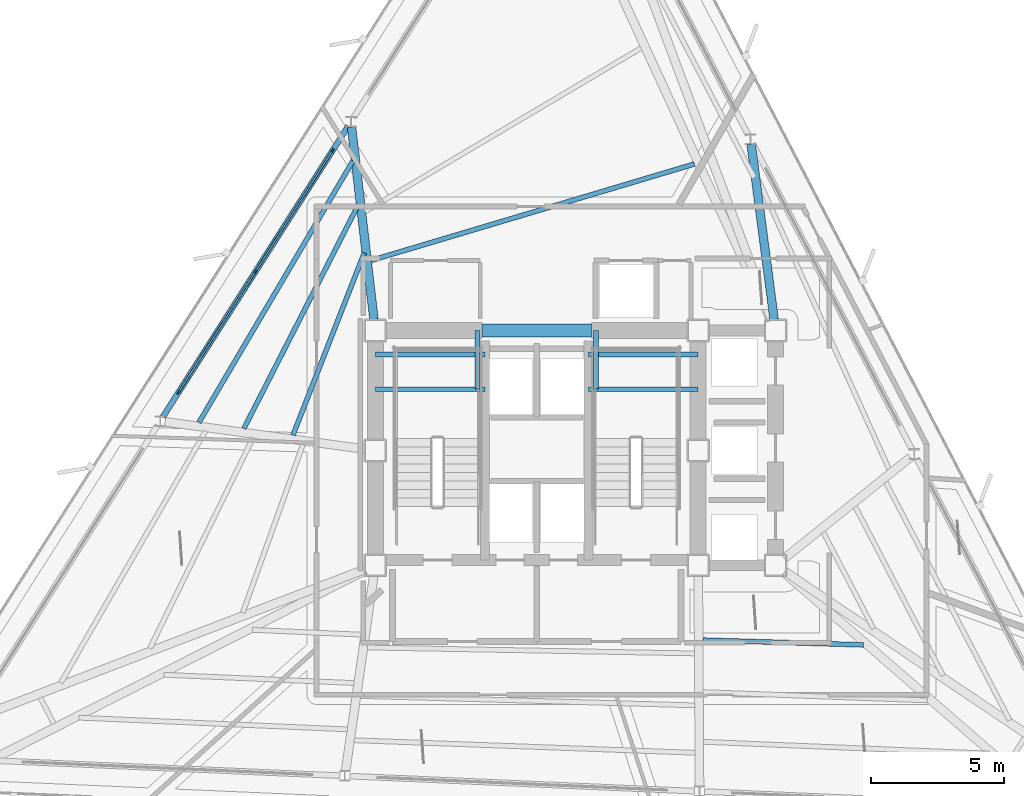
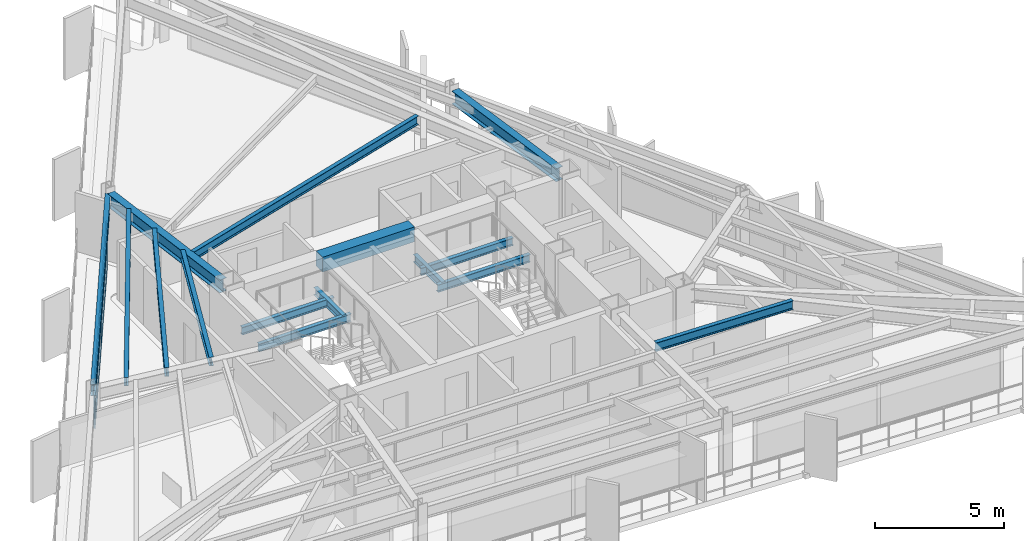
# One storey, part 3 of 12: 15 beams, 7 members, 1 element without a shape of its own.
"""IFC4 building model written with IfcOpenShell, lengths in metres."""

from ifc_helpers import new_model, si_unit, direction, frame, origin, origin_2d, place, context, subcontext, project, spatial, rectangle, i_section, extrude, material, layer, layer_set, material_profile, profile_set, type_object, element, aggregate, save


model = new_model("IFC4")

# Units and contexts
model_context = context("Model", 3, precision=1e-05, world=origin(), true_north=direction((0.0, 1.0)))
body_context = subcontext(model_context, "Body", "Model", "MODEL_VIEW")
ifc_project = project(units=[si_unit("LENGTHUNIT", "METRE"), si_unit("AREAUNIT", "SQUARE_METRE"), si_unit("VOLUMEUNIT", "CUBIC_METRE"), si_unit("PLANEANGLEUNIT", "RADIAN"), si_unit("MASSUNIT", "GRAM", prefix="KILO")], contexts=[model_context])

# Site, building, storey
site_placement = place(None, origin())
site = spatial("IfcSite", under=ifc_project, at=site_placement, CompositionType="ELEMENT")
building_placement = place(site_placement, origin())
building = spatial("IfcBuilding", under=site, at=building_placement, Name="Rocaltana Carrier Exchange", CompositionType="ELEMENT")
storey_placement = place(building_placement, frame((0.0, 0.0, 138.080078125)))
storey = spatial("IfcBuildingStorey", under=building, at=storey_placement, Name="L43", CompositionType="ELEMENT", Elevation=138.080078125)

# Curtain wall, members
ifc_material_1 = material(Name="Aluminium 6063-T6", Category="aluminium")
ifc_layer = layer(ifc_material_1, 0.14990234375)
ifc_layer_set = layer_set([ifc_layer], Name="Aluminium 6063-T6")
curtain_wall_type = type_object("IfcCurtainWallType", Name="Mid-Tower Unitised Curtain Wall CW-03", PredefinedType="NOTDEFINED", material=ifc_layer_set)
curtain_wall_placement = place(storey_placement, origin())
curtain_wall = element("IfcCurtainWall", 1, at=curtain_wall_placement, inside=storey, type_object=curtain_wall_type, Name="L43 CW-03 Run CW-L43-F2S2", PredefinedType="NOTDEFINED")
ifc_material_2 = material(Name="Aluminium 6063-T6", Category="aluminium")
ifc_material_profile_1 = material_profile(ifc_material_2, rectangle(XDim=0.06005859375, YDim=0.14990234375, at=origin_2d()), Name="AL-60X150")
ifc_profile_set_1 = profile_set([ifc_material_profile_1], Name="Aluminium 6063-T6")
member_type_1 = type_object("IfcMemberType", Name="CW-03 Mullion AL-60X150", PredefinedType="MULLION", material=ifc_profile_set_1)
member_1_placement = place(storey_placement, frame((-7.6494140625, 11.240478515625, 0.0), z_axis=(0.0, 0.0, 1.0), x_axis=(0.843390685726, -0.537300801443, 0.0)))
member_1 = element("IfcMember", 2, at=member_1_placement, type_object=member_type_1, Name="CW-03 mullion 1", PredefinedType="MULLION", context=body_context, shape_type="SweptSolid", body=[
    extrude(rectangle(XDim=0.06005859375, YDim=0.14990234375, at=origin_2d()), origin(), (0.0, 0.0, 1.0), 2.218017578125),
])
member_2_placement = place(storey_placement, frame((-10.53466796875, 6.71142578125, 0.0), z_axis=(0.0, 0.0, 1.0), x_axis=(0.843390685726, -0.537300801443, 0.0)))
member_2 = element("IfcMember", 3, at=member_2_placement, type_object=member_type_1, Name="CW-03 mullion 2", PredefinedType="MULLION", context=body_context, shape_type="SweptSolid", body=[
    extrude(rectangle(XDim=0.06005859375, YDim=0.14990234375, at=origin_2d()), origin(), (0.0, 0.0, 1.0), 2.218017578125),
])
member_3_placement = place(storey_placement, frame((-13.420166015625, 2.182373046875, 0.0), z_axis=(0.0, 0.0, 1.0), x_axis=(0.843390685726, -0.537300801443, 0.0)))
member_3 = element("IfcMember", 4, at=member_3_placement, type_object=member_type_1, Name="CW-03 mullion 3", PredefinedType="MULLION", context=body_context, shape_type="SweptSolid", body=[
    extrude(rectangle(XDim=0.06005859375, YDim=0.14990234375, at=origin_2d()), origin(), (0.0, 0.0, 1.0), 2.218017578125),
])
ifc_material_3 = material(Name="Aluminium 6063-T6", Category="aluminium")
ifc_material_profile_2 = material_profile(ifc_material_3, rectangle(XDim=0.06005859375, YDim=0.14990234375, at=origin_2d()), Name="AL-60X150")
ifc_profile_set_2 = profile_set([ifc_material_profile_2], Name="Aluminium 6063-T6")
member_type_2 = type_object("IfcMemberType", Name="CW-03 Transom AL-60X150", PredefinedType="USERDEFINED", material=ifc_profile_set_2)
member_4_placement = place(storey_placement, frame((-7.66552734375, 11.215087890625, 0.030029296875), z_axis=(-0.537285975238, -0.843400130906, 0.0), x_axis=(0.843400130906, -0.537285975238, 0.0)))
member_4 = element("IfcMember", 5, at=member_4_placement, type_object=member_type_2, Name="CW-03 transom 1.1", ObjectType="TRANSOM", PredefinedType="USERDEFINED", context=body_context, shape_type="SweptSolid", body=[
    extrude(rectangle(XDim=0.06005859375, YDim=0.14990234375, at=origin_2d()), origin(), (0.0, 0.0, 1.0), 5.31005859375),
])
member_5_placement = place(storey_placement, frame((-7.66552734375, 11.215087890625, 2.18798828125), z_axis=(-0.537285975238, -0.843400130906, 0.0), x_axis=(0.843400130906, -0.537285975238, 0.0)))
member_5 = element("IfcMember", 6, at=member_5_placement, type_object=member_type_2, Name="CW-03 transom 1.2", ObjectType="TRANSOM", PredefinedType="USERDEFINED", context=body_context, shape_type="SweptSolid", body=[
    extrude(rectangle(XDim=0.06005859375, YDim=0.14990234375, at=origin_2d()), origin(), (0.0, 0.0, 1.0), 5.31005859375),
])
member_6_placement = place(storey_placement, frame((-10.55078125, 6.68603515625, 0.030029296875), z_axis=(-0.537318678484, -0.843379296493, 0.0), x_axis=(0.843379296493, -0.537318678484, 0.0)))
member_6 = element("IfcMember", 7, at=member_6_placement, type_object=member_type_2, Name="CW-03 transom 2.1", ObjectType="TRANSOM", PredefinedType="USERDEFINED", context=body_context, shape_type="SweptSolid", body=[
    extrude(rectangle(XDim=0.06005859375, YDim=0.14990234375, at=origin_2d()), origin(), (0.0, 0.0, 1.0), 5.310302734375),
])
member_7_placement = place(storey_placement, frame((-10.55078125, 6.68603515625, 2.18798828125), z_axis=(-0.537318678484, -0.843379296493, 0.0), x_axis=(0.843379296493, -0.537318678484, 0.0)))
member_7 = element("IfcMember", 8, at=member_7_placement, type_object=member_type_2, Name="CW-03 transom 2.2", ObjectType="TRANSOM", PredefinedType="USERDEFINED", context=body_context, shape_type="SweptSolid", body=[
    extrude(rectangle(XDim=0.06005859375, YDim=0.14990234375, at=origin_2d()), origin(), (0.0, 0.0, 1.0), 5.310302734375),
])
aggregate(curtain_wall, [member_1, member_2, member_3, member_4, member_5, member_6, member_7])

# Beams
ifc_material_4 = material(Name="Concrete C60/75", Category="concrete")
ifc_material_profile_3 = material_profile(ifc_material_4, rectangle(XDim=0.5, YDim=0.699951171875, at=origin_2d()), Name="RC-BM-500X700")
ifc_profile_set_3 = profile_set([ifc_material_profile_3], Name="Concrete C60/75")
beam_type_1 = type_object("IfcBeamType", Name="Core Coupling Lintel 500x700", PredefinedType="LINTEL", material=ifc_profile_set_3)
beam_1_placement = place(storey_placement, frame((-2.050048828125, 4.5, 2.43798828125), z_axis=(1.0, 0.0, 0.0), x_axis=(0.0, 1.0, 0.0)))
element("IfcBeam", 9, at=beam_1_placement, inside=storey, type_object=beam_type_1, Name="L43 Core Coupling Lintel CL-N", PredefinedType="LINTEL", context=body_context, shape_type="SweptSolid", body=[
    extrude(rectangle(XDim=0.5, YDim=0.699951171875, at=origin_2d()), origin(), (0.0, 0.0, 1.0), 4.10009765625),
])
ifc_material_5 = material(Name="Steel S355", Category="steel")
ifc_material_profile_4 = material_profile(ifc_material_5, i_section(OverallWidth=0.172119140625, OverallDepth=0.35791015625, WebThickness=0.0078125, FlangeThickness=0.01318359375, FilletRadius=0.011962890625, at=origin_2d()), Name="W14X38")
ifc_profile_set_4 = profile_set([ifc_material_profile_4], Name="Steel S355")
beam_type_2 = type_object("IfcBeamType", Name="Floor Joist W14X38", PredefinedType="JOIST", material=ifc_profile_set_4)
for number, where, z_axis, x_axis, name in (
    (10, (-6.050048828125, 2.300048828125, 1.140869140625), (1.0, 0.0, 0.0), (0.0, 1.0, 0.0), "L43 ST-1 Landing Carrier 1"),
    (11, (1.93994140625, 2.300048828125, 1.140869140625), (1.0, 0.0, 0.0), (0.0, 1.0, 0.0), "L43 ST-2 Landing Carrier 1"),
    (12, (-6.050048828125, 3.60009765625, 1.140869140625), (1.0, 0.0, 0.0), (0.0, 1.0, 0.0), "L43 ST-1 Landing Carrier 2"),
    (13, (1.93994140625, 3.60009765625, 1.140869140625), (1.0, 0.0, 0.0), (0.0, 1.0, 0.0), "L43 ST-2 Landing Carrier 2"),
):
    element("IfcBeam", number, at=place(storey_placement, frame(where, z_axis=z_axis, x_axis=x_axis)), inside=storey, type_object=beam_type_2, Name=name, PredefinedType="JOIST", context=body_context, shape_type="SweptSolid", body=[
        extrude(i_section(OverallWidth=0.172119140625, OverallDepth=0.35791015625, WebThickness=0.0078125, FlangeThickness=0.01318359375, FilletRadius=0.011962890625, at=origin_2d()), origin(), (0.0, 0.0, 1.0), 4.110107421875),
    ])
for number, where, z_axis, x_axis, name in (
    (14, (-2.219970703125, 2.300048828125, 1.140869140625), (0.0, 1.0, 0.0), (-1.0, 0.0, 0.0), "L43 ST-1 Landing Cross Trimmer"),
    (15, (2.219970703125, 2.300048828125, 1.140869140625), (0.0, 1.0, 0.0), (-1.0, 0.0, 0.0), "L43 ST-2 Landing Cross Trimmer"),
):
    element("IfcBeam", number, at=place(storey_placement, frame(where, z_axis=z_axis, x_axis=x_axis)), inside=storey, type_object=beam_type_2, Name=name, PredefinedType="JOIST", context=body_context, shape_type="SweptSolid", body=[
        extrude(i_section(OverallWidth=0.172119140625, OverallDepth=0.35791015625, WebThickness=0.0078125, FlangeThickness=0.01318359375, FilletRadius=0.011962890625, at=origin_2d()), origin(), (0.0, 0.0, 1.0), 2.199951171875),
    ])
ifc_material_6 = material(Name="Steel S355", Category="steel")
ifc_material_profile_5 = material_profile(ifc_material_6, i_section(OverallWidth=0.179931640625, OverallDepth=0.4130859375, WebThickness=0.009765625, FlangeThickness=0.01611328125, FilletRadius=0.012939453125, at=origin_2d()), Name="W16X50")
ifc_profile_set_5 = profile_set([ifc_material_profile_5], Name="Steel S355")
beam_type_3 = type_object("IfcBeamType", Name="Floor Joist W16X50", PredefinedType="JOIST", material=ifc_profile_set_5)
beam_2_placement = place(storey_placement, frame((5.907958984375, 10.737548828125, 2.58154296875), z_axis=(-0.958271792159, -0.285858658, 0.0), x_axis=(0.285858658, -0.958271792159, 0.0)))
element("IfcBeam", 16, at=beam_2_placement, inside=storey, type_object=beam_type_3, Name="FJ-L43-05-1", PredefinedType="JOIST", context=body_context, shape_type="SweptSolid", body=[
    extrude(i_section(OverallWidth=0.179931640625, OverallDepth=0.4130859375, WebThickness=0.009765625, FlangeThickness=0.01611328125, FilletRadius=0.012939453125, at=origin_2d()), origin(), (0.0, 0.0, 1.0), 12.63671875),
])
beam_3_placement = place(storey_placement, frame((-6.46240234375, 7.404541015625, 2.58154296875), z_axis=(-0.364527375861, -0.931192671926, 0.0), x_axis=(0.931192671926, -0.364527375861, 0.0)))
element("IfcBeam", 17, at=beam_3_placement, inside=storey, type_object=beam_type_3, Name="FJ-L43-06-1", PredefinedType="JOIST", context=body_context, shape_type="SweptSolid", body=[
    extrude(i_section(OverallWidth=0.179931640625, OverallDepth=0.4130859375, WebThickness=0.009765625, FlangeThickness=0.01611328125, FilletRadius=0.012939453125, at=origin_2d()), origin(), (0.0, 0.0, 1.0), 7.333740234375),
])
beam_4_placement = place(storey_placement, frame((-6.686279296875, 9.20947265625, 2.58154296875), z_axis=(-0.455271338629, -0.890352743705, 0.0), x_axis=(0.890352743705, -0.455271338629, 0.0)))
element("IfcBeam", 18, at=beam_4_placement, inside=storey, type_object=beam_type_3, Name="FJ-L43-06-2", PredefinedType="JOIST", context=body_context, shape_type="SweptSolid", body=[
    extrude(i_section(OverallWidth=0.179931640625, OverallDepth=0.4130859375, WebThickness=0.009765625, FlangeThickness=0.01611328125, FilletRadius=0.012939453125, at=origin_2d()), origin(), (0.0, 0.0, 1.0), 9.419921875),
])
beam_5_placement = place(storey_placement, frame((-6.885986328125, 10.856201171875, 2.58154296875), z_axis=(-0.507296695283, -0.86177146794, 0.0), x_axis=(0.86177146794, -0.507296695283, 0.0)))
element("IfcBeam", 19, at=beam_5_placement, inside=storey, type_object=beam_type_3, Name="FJ-L43-06-3", PredefinedType="JOIST", context=body_context, shape_type="SweptSolid", body=[
    extrude(i_section(OverallWidth=0.179931640625, OverallDepth=0.4130859375, WebThickness=0.009765625, FlangeThickness=0.01611328125, FilletRadius=0.012939453125, at=origin_2d()), origin(), (0.0, 0.0, 1.0), 11.37939453125),
])
beam_6_placement = place(storey_placement, frame((6.221923828125, -7.099609375, 2.58154296875), z_axis=(0.999543297857, -0.030219128192, 0.0), x_axis=(0.030219128192, 0.999543297857, 0.0)))
element("IfcBeam", 20, at=beam_6_placement, inside=storey, type_object=beam_type_3, Name="FJ-L43-11-1", PredefinedType="JOIST", context=body_context, shape_type="SweptSolid", body=[
    extrude(i_section(OverallWidth=0.179931640625, OverallDepth=0.4130859375, WebThickness=0.009765625, FlangeThickness=0.01611328125, FilletRadius=0.012939453125, at=origin_2d()), origin(), (0.0, 0.0, 1.0), 6.018798828125),
])
ifc_material_7 = material(Name="Steel S355", Category="steel")
ifc_material_profile_6 = material_profile(ifc_material_7, i_section(OverallWidth=0.323974609375, OverallDepth=0.611083984375, WebThickness=0.0126953125, FlangeThickness=0.01904296875, FilletRadius=0.01611328125, at=origin_2d()), Name="W24X104")
ifc_profile_set_6 = profile_set([ifc_material_profile_6], Name="Steel S355")
beam_type_4 = type_object("IfcBeamType", Name="Radial Girder W24X104", PredefinedType="BEAM", material=ifc_profile_set_6)
beam_7_placement = place(storey_placement, frame((8.895751953125, 4.91357421875, 2.482421875), z_axis=(-0.130201666158, 0.991487532009, 0.0), x_axis=(-0.991487532009, -0.130201666158, 0.0)))
element("IfcBeam", 21, at=beam_7_placement, inside=storey, type_object=beam_type_4, Name="RG-L43-03", PredefinedType="BEAM", context=body_context, shape_type="SweptSolid", body=[
    extrude(i_section(OverallWidth=0.323974609375, OverallDepth=0.611083984375, WebThickness=0.0126953125, FlangeThickness=0.01904296875, FilletRadius=0.01611328125, at=origin_2d()), origin(), (0.0, 0.0, 1.0), 6.619140625),
])
beam_8_placement = place(storey_placement, frame((-6.098388671875, 4.914306640625, 2.482421875), z_axis=(-0.115782331759, 0.993274610394, 0.0), x_axis=(-0.993274610394, -0.115782331759, 0.0)))
element("IfcBeam", 22, at=beam_8_placement, inside=storey, type_object=beam_type_4, Name="RG-L43-06", PredefinedType="BEAM", context=body_context, shape_type="SweptSolid", body=[
    extrude(i_section(OverallWidth=0.323974609375, OverallDepth=0.611083984375, WebThickness=0.0126953125, FlangeThickness=0.01904296875, FilletRadius=0.01611328125, at=origin_2d()), origin(), (0.0, 0.0, 1.0), 7.26416015625),
])
ifc_material_8 = material(Name="Steel S355", Category="steel")
ifc_material_profile_7 = material_profile(ifc_material_8, i_section(OverallWidth=0.2119140625, OverallDepth=0.5439453125, WebThickness=0.01318359375, FlangeThickness=0.021240234375, FilletRadius=0.014892578125, at=origin_2d()), Name="W21X83")
ifc_profile_set_7 = profile_set([ifc_material_profile_7], Name="Steel S355")
beam_type_5 = type_object("IfcBeamType", Name="Spandrel Edge Beam W21X83", PredefinedType="SPANDREL", material=ifc_profile_set_7)
beam_9_placement = place(storey_placement, frame((-7.064697265625, 12.158447265625, 2.515869140625), z_axis=(-0.537294913868, -0.843394436508, 0.0), x_axis=(0.843394436508, -0.537294913868, 0.0)))
element("IfcBeam", 23, at=beam_9_placement, inside=storey, type_object=beam_type_5, Name="SP-L43-06", PredefinedType="SPANDREL", context=body_context, shape_type="SweptSolid", body=[
    extrude(i_section(OverallWidth=0.2119140625, OverallDepth=0.5439453125, WebThickness=0.01318359375, FlangeThickness=0.021240234375, FilletRadius=0.014892578125, at=origin_2d()), origin(), (0.0, 0.0, 1.0), 12.9169921875),
])

save(model, "model.ifc")
